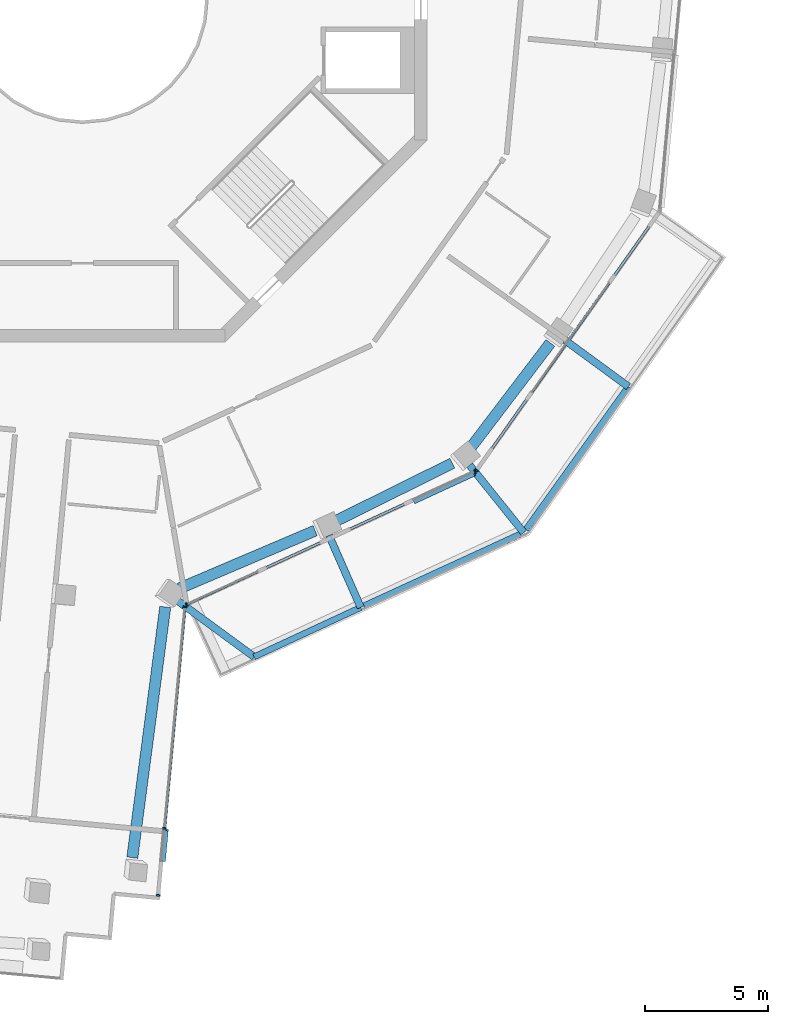
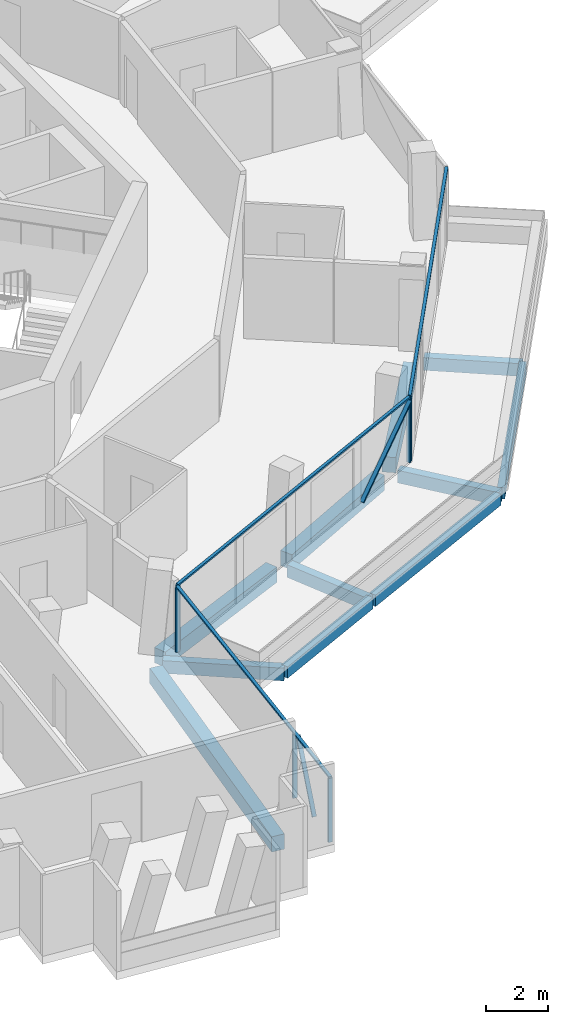
# One storey, part 4 of 23: 11 beams, 11 members, 3 elements without a shape of their own.
"""IFC4 building model written with IfcOpenShell, lengths in metres."""

from ifc_helpers import new_model, si_unit, direction, frame, origin, origin_2d, place, context, subcontext, project, spatial, rectangle, extrude, material, layer, layer_set, material_profile, profile_set, type_object, element, aggregate, save


model = new_model("IFC4")

# Units and contexts
model_context = context("Model", 3, precision=1e-05, world=origin(), true_north=direction((0.0, 1.0)))
body_context = subcontext(model_context, "Body", "Model", "MODEL_VIEW")
ifc_project = project(units=[si_unit("LENGTHUNIT", "METRE"), si_unit("AREAUNIT", "SQUARE_METRE"), si_unit("VOLUMEUNIT", "CUBIC_METRE"), si_unit("PLANEANGLEUNIT", "RADIAN"), si_unit("MASSUNIT", "GRAM", prefix="KILO")], contexts=[model_context])

# Site, building, storey
site_placement = place(None, origin())
site = spatial("IfcSite", under=ifc_project, at=site_placement, CompositionType="ELEMENT")
building_placement = place(site_placement, origin())
building = spatial("IfcBuilding", under=site, at=building_placement, Name="Verdalira Terraces Hotel", CompositionType="ELEMENT")
storey_placement = place(building_placement, frame((0.0, 0.0, 256.0)))
storey = spatial("IfcBuildingStorey", under=building, at=storey_placement, Name="L63", CompositionType="ELEMENT", Elevation=256.0)

# Beams
ifc_material_1 = material(Name="Concrete C40", Category="concrete")
ifc_material_profile_1 = material_profile(ifc_material_1, rectangle(XDim=0.300049, YDim=0.5, at=origin_2d()), Name="RC 300X500")
ifc_profile_set_1 = profile_set([ifc_material_profile_1], Name="Concrete C40")
beam_type_1 = type_object("IfcBeamType", Name="Balcony cantilever beam RC 300X500 C40", PredefinedType="BEAM", material=ifc_profile_set_1)
beam_1_placement = place(storey_placement, frame((3.791504, -24.474609, -0.560059), z_axis=(0.806530737, -0.59119216, 0.0), x_axis=(0.59119216, 0.806530737, 0.0)))
element("IfcBeam", 1, at=beam_1_placement, inside=storey, type_object=beam_type_1, Name="Balcony cantilever beam R25-1", PredefinedType="BEAM", context=body_context, shape_type="SweptSolid", body=[
    extrude(rectangle(XDim=0.300049, YDim=0.5, at=origin_2d()), origin(), (0.0, 0.0, 1.0), 3.949951),
])
beam_2_placement = place(storey_placement, frame((10.022705, -21.87085, -0.560059), z_axis=(0.402894536, -0.915246411, 0.0), x_axis=(0.915246411, 0.402894536, 0.0)))
element("IfcBeam", 2, at=beam_2_placement, inside=storey, type_object=beam_type_1, Name="Balcony cantilever beam R25-2", PredefinedType="BEAM", context=body_context, shape_type="SweptSolid", body=[
    extrude(rectangle(XDim=0.300049, YDim=0.5, at=origin_2d()), origin(), (0.0, 0.0, 1.0), 3.200684),
])
beam_3_placement = place(storey_placement, frame((15.742188, -19.014893, -0.560059), z_axis=(0.626032929, -0.779796622, 0.0), x_axis=(0.779796622, 0.626032929, 0.0)))
element("IfcBeam", 3, at=beam_3_placement, inside=storey, type_object=beam_type_1, Name="Balcony cantilever beam R25-3", PredefinedType="BEAM", context=body_context, shape_type="SweptSolid", body=[
    extrude(rectangle(XDim=0.300049, YDim=0.5, at=origin_2d()), origin(), (0.0, 0.0, 1.0), 3.513672),
])
beam_4_placement = place(storey_placement, frame((19.615234, -13.929443, -0.560059), z_axis=(0.806586823, -0.591115638, 0.0), x_axis=(0.591115638, 0.806586823, 0.0)))
element("IfcBeam", 4, at=beam_4_placement, inside=storey, type_object=beam_type_1, Name="Balcony cantilever beam R25-4", PredefinedType="BEAM", context=body_context, shape_type="SweptSolid", body=[
    extrude(rectangle(XDim=0.300049, YDim=0.5, at=origin_2d()), origin(), (0.0, 0.0, 1.0), 3.200928),
])
ifc_material_2 = material(Name="Concrete C40", Category="concrete")
ifc_material_profile_2 = material_profile(ifc_material_2, rectangle(XDim=0.25, YDim=0.449951, at=origin_2d()), Name="RC 250X450")
ifc_profile_set_2 = profile_set([ifc_material_profile_2], Name="Concrete C40")
beam_type_2 = type_object("IfcBeamType", Name="Balcony edge beam RC 250X450 C40", PredefinedType="BEAM", material=ifc_profile_set_2)
beam_5_placement = place(storey_placement, frame((6.977295, -26.809814, -0.534912), z_axis=(0.907259729, 0.420570783, 0.0), x_axis=(-0.420570783, 0.907259729, 0.0)))
element("IfcBeam", 5, at=beam_5_placement, inside=storey, type_object=beam_type_2, Name="Balcony edge beam R25-1", PredefinedType="BEAM", context=body_context, shape_type="SweptSolid", body=[
    extrude(rectangle(XDim=0.25, YDim=0.449951, at=origin_2d()), origin(), (0.0, 0.0, 1.0), 4.778076),
])
beam_6_placement = place(storey_placement, frame((11.448486, -24.737793, -0.534912), z_axis=(0.908704054, 0.417440945, 0.0), x_axis=(-0.417440945, 0.908704054, 0.0)))
element("IfcBeam", 6, at=beam_6_placement, inside=storey, type_object=beam_type_2, Name="Balcony edge beam R25-2", PredefinedType="BEAM", context=body_context, shape_type="SweptSolid", body=[
    extrude(rectangle(XDim=0.25, YDim=0.449951, at=origin_2d()), origin(), (0.0, 0.0, 1.0), 6.991211),
])
beam_7_placement = place(storey_placement, frame((18.032715, -21.628418, -0.534912), z_axis=(0.582769092, 0.812637794, 0.0), x_axis=(-0.812637794, 0.582769092, 0.0)))
element("IfcBeam", 7, at=beam_7_placement, inside=storey, type_object=beam_type_2, Name="Balcony edge beam R25-3", PredefinedType="BEAM", context=body_context, shape_type="SweptSolid", body=[
    extrude(rectangle(XDim=0.25, YDim=0.449951, at=origin_2d()), origin(), (0.0, 0.0, 1.0), 7.145752),
])

# Curtain wall, members
ifc_material_3 = material(Name="Clear glass", Category="glass")
ifc_layer_1 = layer(ifc_material_3, 0.14990234375)
ifc_layer_set_1 = layer_set([ifc_layer_1], Name="CW1 curtain wall")
curtain_wall_type_1 = type_object("IfcCurtainWallType", Name="CW1 curtain wall", PredefinedType="NOTDEFINED", material=ifc_layer_set_1)
curtain_wall_1_placement = place(storey_placement, origin())
curtain_wall_1 = element("IfcCurtainWall", 8, at=curtain_wall_1_placement, inside=storey, type_object=curtain_wall_type_1, Name="CW1 curtain wall L63 edge 25", PredefinedType="NOTDEFINED")
ifc_material_4 = material(Name="Terracotta frame", Category="masonry")
ifc_material_profile_3 = material_profile(ifc_material_4, rectangle(XDim=0.060059, YDim=0.149902, at=origin_2d()), Name="MU 60x150")
ifc_profile_set_3 = profile_set([ifc_material_profile_3], Name="Terracotta frame")
member_type_1 = type_object("IfcMemberType", Name="CW1 mullion 60x150", PredefinedType="MULLION", material=ifc_profile_set_3)
member_1_placement = place(storey_placement, frame((4.236084, -24.672852, 0.0), z_axis=(0.0, 0.0, 1.0), x_axis=(0.908362259, 0.418184178, 0.0)))
member_1 = element("IfcMember", 9, at=member_1_placement, type_object=member_type_1, Name="CW1 mullion", PredefinedType="MULLION", context=body_context, shape_type="SweptSolid", body=[
    extrude(rectangle(XDim=0.060059, YDim=0.149902, at=origin_2d()), origin(), (0.0, 0.0, 1.0), 2.524902),
])
member_2_placement = place(storey_placement, frame((15.953613, -19.27832, 0.0), z_axis=(0.0, 0.0, 1.0), x_axis=(0.908362259, 0.418184178, 0.0)))
member_2 = element("IfcMember", 10, at=member_2_placement, type_object=member_type_1, Name="CW1 mullion", PredefinedType="MULLION", context=body_context, shape_type="SweptSolid", body=[
    extrude(rectangle(XDim=0.060059, YDim=0.149902, at=origin_2d()), origin(), (0.0, 0.0, 1.0), 2.524902),
])

# Curtain wall, member
curtain_wall_2_placement = place(storey_placement, origin())
curtain_wall_2 = element("IfcCurtainWall", 11, at=curtain_wall_2_placement, inside=storey, type_object=curtain_wall_type_1, Name="CW1 curtain wall L63 edge 26", PredefinedType="NOTDEFINED")
member_3_placement = place(storey_placement, frame((16.028076, -19.216553, 0.0), z_axis=(0.0, 0.0, 1.0), x_axis=(0.577572703, 0.816339251, 0.0)))
member_3 = element("IfcMember", 12, at=member_3_placement, type_object=member_type_1, Name="CW1 mullion", PredefinedType="MULLION", context=body_context, shape_type="SweptSolid", body=[
    extrude(rectangle(XDim=0.060059, YDim=0.149902, at=origin_2d()), origin(), (0.0, 0.0, 1.0), 2.524902),
])

# Member
ifc_material_5 = material(Name="Terracotta frame", Category="masonry")
ifc_material_profile_4 = material_profile(ifc_material_5, rectangle(XDim=0.110107, YDim=0.064941, at=origin_2d()), Name="TR 65x110")
ifc_profile_set_4 = profile_set([ifc_material_profile_4], Name="Terracotta frame")
member_type_2 = type_object("IfcMemberType", Name="CW1 transom 65x110", PredefinedType="USERDEFINED", material=ifc_profile_set_4)
member_4_placement = place(storey_placement, frame((4.20874, -24.685303, 2.557617), z_axis=(0.908366965, 0.418173954, 0.0), x_axis=(-0.418173954, 0.908366965, 0.0)))
member_4 = element("IfcMember", 13, at=member_4_placement, type_object=member_type_2, Name="CW1 transom", ObjectType="TRANSOM", PredefinedType="USERDEFINED", context=body_context, shape_type="SweptSolid", body=[
    extrude(rectangle(XDim=0.110107, YDim=0.064941, at=origin_2d()), origin(), (0.0, 0.0, 1.0), 12.959717),
])

member_5_placement = place(storey_placement, frame((16.010742, -19.240967, 2.557617), z_axis=(0.577585754, 0.816330017, 0.0), x_axis=(-0.816330017, 0.577585754, 0.0)))
member_5 = element("IfcMember", 14, at=member_5_placement, type_object=member_type_2, Name="CW1 transom", ObjectType="TRANSOM", PredefinedType="USERDEFINED", context=body_context, shape_type="SweptSolid", body=[
    extrude(rectangle(XDim=0.110107, YDim=0.064941, at=origin_2d()), origin(), (0.0, 0.0, 1.0), 12.919678),
])

aggregate(curtain_wall_2, [member_3, member_5])

# Curtain wall, members
ifc_material_6 = material(Name="Clear glass", Category="glass")
ifc_layer_2 = layer(ifc_material_6, 0.14990234375)
ifc_layer_set_2 = layer_set([ifc_layer_2], Name="CW2 curtain wall")
curtain_wall_type_2 = type_object("IfcCurtainWallType", Name="CW2 curtain wall", PredefinedType="NOTDEFINED", material=ifc_layer_set_2)
curtain_wall_3_placement = place(storey_placement, origin())
curtain_wall_3 = element("IfcCurtainWall", 15, at=curtain_wall_3_placement, inside=storey, type_object=curtain_wall_type_2, Name="CW2 curtain wall L63 edge 24", PredefinedType="NOTDEFINED")
ifc_material_7 = material(Name="Terracotta frame", Category="masonry")
ifc_material_profile_5 = material_profile(ifc_material_7, rectangle(XDim=0.070068, YDim=0.149902, at=origin_2d()), Name="MU 70x150")
ifc_profile_set_5 = profile_set([ifc_material_profile_5], Name="Terracotta frame")
member_type_3 = type_object("IfcMemberType", Name="CW2 mullion 70x150", PredefinedType="MULLION", material=ifc_profile_set_5)
member_6_placement = place(storey_placement, frame((3.078613, -36.507324, 0.0), z_axis=(0.0, 0.0, 1.0), x_axis=(0.092023008, 0.995756881, 0.0)))
member_6 = element("IfcMember", 16, at=member_6_placement, type_object=member_type_3, Name="CW2 mullion", PredefinedType="MULLION", context=body_context, shape_type="SweptSolid", body=[
    extrude(rectangle(XDim=0.070068, YDim=0.149902, at=origin_2d()), origin(), (0.0, 0.0, 1.0), 2.524902),
])
member_7_placement = place(storey_placement, frame((3.330322, -33.783936, 0.0), z_axis=(0.0, 0.0, 1.0), x_axis=(0.092023008, 0.995756881, 0.0)))
member_7 = element("IfcMember", 17, at=member_7_placement, type_object=member_type_3, Name="CW2 mullion", PredefinedType="MULLION", context=body_context, shape_type="SweptSolid", body=[
    extrude(rectangle(XDim=0.070068, YDim=0.149902, at=origin_2d()), origin(), (0.0, 0.0, 1.0), 2.524902),
])
member_8_placement = place(storey_placement, frame((4.162109, -24.781494, 0.0), z_axis=(0.0, 0.0, 1.0), x_axis=(0.092023008, 0.995756881, 0.0)))
member_8 = element("IfcMember", 18, at=member_8_placement, type_object=member_type_3, Name="CW2 mullion", PredefinedType="MULLION", context=body_context, shape_type="SweptSolid", body=[
    extrude(rectangle(XDim=0.070068, YDim=0.149902, at=origin_2d()), origin(), (0.0, 0.0, 1.0), 2.524902),
])
ifc_material_8 = material(Name="Terracotta frame", Category="masonry")
ifc_material_profile_6 = material_profile(ifc_material_8, rectangle(XDim=0.11499, YDim=0.064941, at=origin_2d()), Name="TR 65x115")
ifc_profile_set_6 = profile_set([ifc_material_profile_6], Name="Terracotta frame")
member_type_4 = type_object("IfcMemberType", Name="CW2 transom 65x115", PredefinedType="USERDEFINED", material=ifc_profile_set_6)
member_9_placement = place(storey_placement, frame((3.075439, -36.542236, 2.557617), z_axis=(0.092022245, 0.995756951, 0.0), x_axis=(-0.995756951, 0.092022245, 0.0)))
member_9 = element("IfcMember", 19, at=member_9_placement, type_object=member_type_4, Name="CW2 transom", ObjectType="TRANSOM", PredefinedType="USERDEFINED", context=body_context, shape_type="SweptSolid", body=[
    extrude(rectangle(XDim=0.11499, YDim=0.064941, at=origin_2d()), origin(), (0.0, 0.0, 1.0), 11.845947),
])
ifc_material_9 = material(Name="Terracotta frame", Category="masonry")
ifc_material_profile_7 = material_profile(ifc_material_9, rectangle(XDim=0.149902, YDim=0.060059, at=origin_2d()), Name="GB 60x150")
ifc_profile_set_7 = profile_set([ifc_material_profile_7], Name="Terracotta frame")
member_type_5 = type_object("IfcMemberType", Name="Diagonal glazing bar 60x150", PredefinedType="USERDEFINED", material=ifc_profile_set_7)
member_10_placement = place(storey_placement, frame((3.300049, -35.099121, 0.053223), z_axis=(0.042239132, 0.457187038, 0.888366967), x_axis=(-0.99575925, 0.091997373, 0.0)))
member_10 = element("IfcMember", 20, at=member_10_placement, type_object=member_type_5, Name="Diagonal glazing bar", ObjectType="GLAZING BAR", PredefinedType="USERDEFINED", context=body_context, shape_type="SweptSolid", body=[
    extrude(rectangle(XDim=0.149902, YDim=0.060059, at=origin_2d()), origin(), (0.0, 0.0, 1.0), 2.722412),
])
aggregate(curtain_wall_3, [member_6, member_7, member_8, member_9, member_10])

# Member
member_11_placement = place(storey_placement, frame((13.499023, -20.506348, 0.023438), z_axis=(0.66783302, 0.307439578, 0.677849514), x_axis=(-0.418170967, 0.908368341, 0.0)))
member_11 = element("IfcMember", 21, at=member_11_placement, type_object=member_type_5, Name="Diagonal glazing bar", ObjectType="GLAZING BAR", PredefinedType="USERDEFINED", context=body_context, shape_type="SweptSolid", body=[
    extrude(rectangle(XDim=0.149902, YDim=0.060059, at=origin_2d()), origin(), (0.0, 0.0, 1.0), 3.656006),
])

aggregate(curtain_wall_1, [member_1, member_2, member_4, member_11])

# Beams
ifc_material_10 = material(Name="Concrete C40", Category="concrete")
ifc_material_profile_8 = material_profile(ifc_material_10, rectangle(XDim=0.449951, YDim=0.600098, at=origin_2d()), Name="RC 450X600")
ifc_profile_set_8 = profile_set([ifc_material_profile_8], Name="Concrete C40")
beam_type_3 = type_object("IfcBeamType", Name="Spandrel beam RC 450X600 C40", PredefinedType="SPANDREL", material=ifc_profile_set_8)
beam_8_placement = place(storey_placement, frame((2.022705, -34.975586, -0.610107), z_axis=(0.130382647, 0.991463749, 0.0), x_axis=(-0.991463749, 0.130382647, 0.0)))
element("IfcBeam", 22, at=beam_8_placement, inside=storey, type_object=beam_type_3, Name="Spandrel beam B10", PredefinedType="SPANDREL", context=body_context, shape_type="SweptSolid", body=[
    extrude(rectangle(XDim=0.449951, YDim=0.600098, at=origin_2d()), origin(), (0.0, 0.0, 1.0), 10.281738),
])
beam_9_placement = place(storey_placement, frame((3.938232, -24.02832, -0.610107), z_axis=(0.920020447, 0.391870357, 0.0), x_axis=(-0.391870357, 0.920020447, 0.0)))
element("IfcBeam", 23, at=beam_9_placement, inside=storey, type_object=beam_type_3, Name="Spandrel beam B11", PredefinedType="SPANDREL", context=body_context, shape_type="SweptSolid", body=[
    extrude(rectangle(XDim=0.449951, YDim=0.600098, at=origin_2d()), origin(), (0.0, 0.0, 1.0), 5.999512),
])
beam_10_placement = place(storey_placement, frame((10.204834, -21.333008, -0.610107), z_axis=(0.89589776, 0.444260288, 0.0), x_axis=(-0.444260288, 0.89589776, 0.0)))
element("IfcBeam", 24, at=beam_10_placement, inside=storey, type_object=beam_type_3, Name="Spandrel beam B12", PredefinedType="SPANDREL", context=body_context, shape_type="SweptSolid", body=[
    extrude(rectangle(XDim=0.449951, YDim=0.600098, at=origin_2d()), origin(), (0.0, 0.0, 1.0), 5.394287),
])
beam_11_placement = place(storey_placement, frame((15.758301, -18.339111, -0.610107), z_axis=(0.605566055, 0.795795045, 0.0), x_axis=(-0.795795045, 0.605566055, 0.0)))
element("IfcBeam", 25, at=beam_11_placement, inside=storey, type_object=beam_type_3, Name="Spandrel beam B13", PredefinedType="SPANDREL", context=body_context, shape_type="SweptSolid", body=[
    extrude(rectangle(XDim=0.449951, YDim=0.600098, at=origin_2d()), origin(), (0.0, 0.0, 1.0), 5.396729),
])

save(model, "model.ifc")
